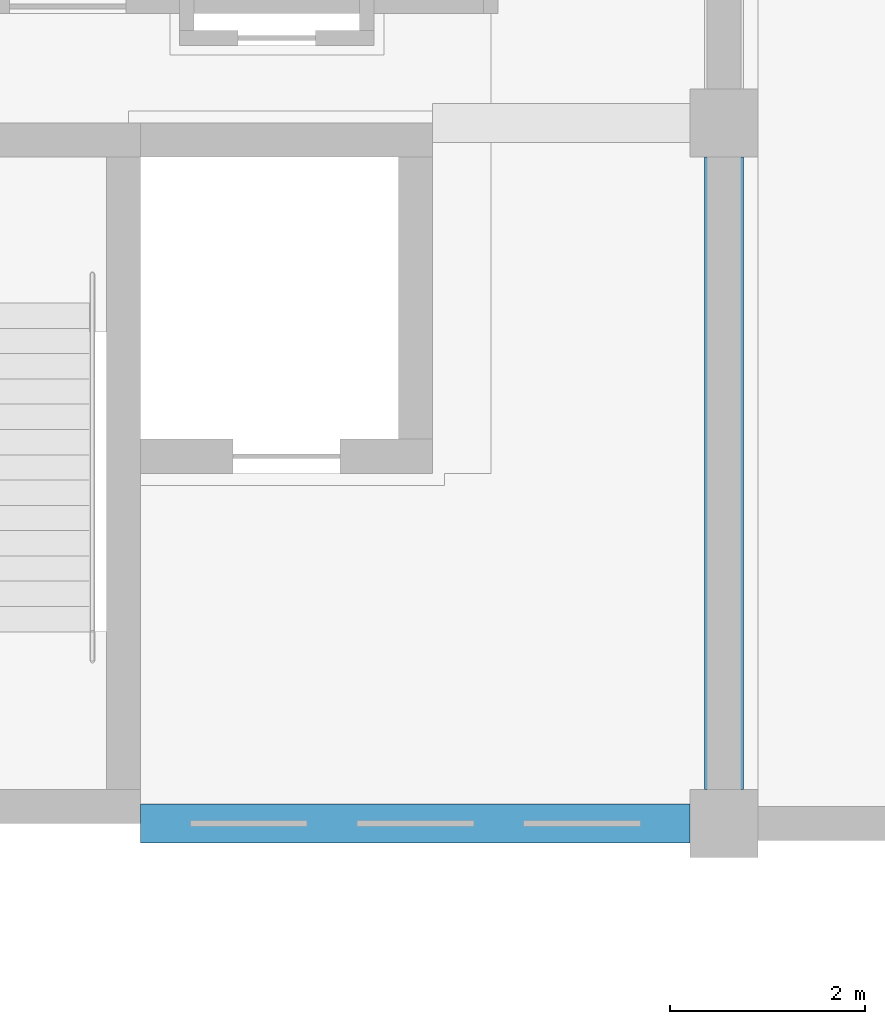
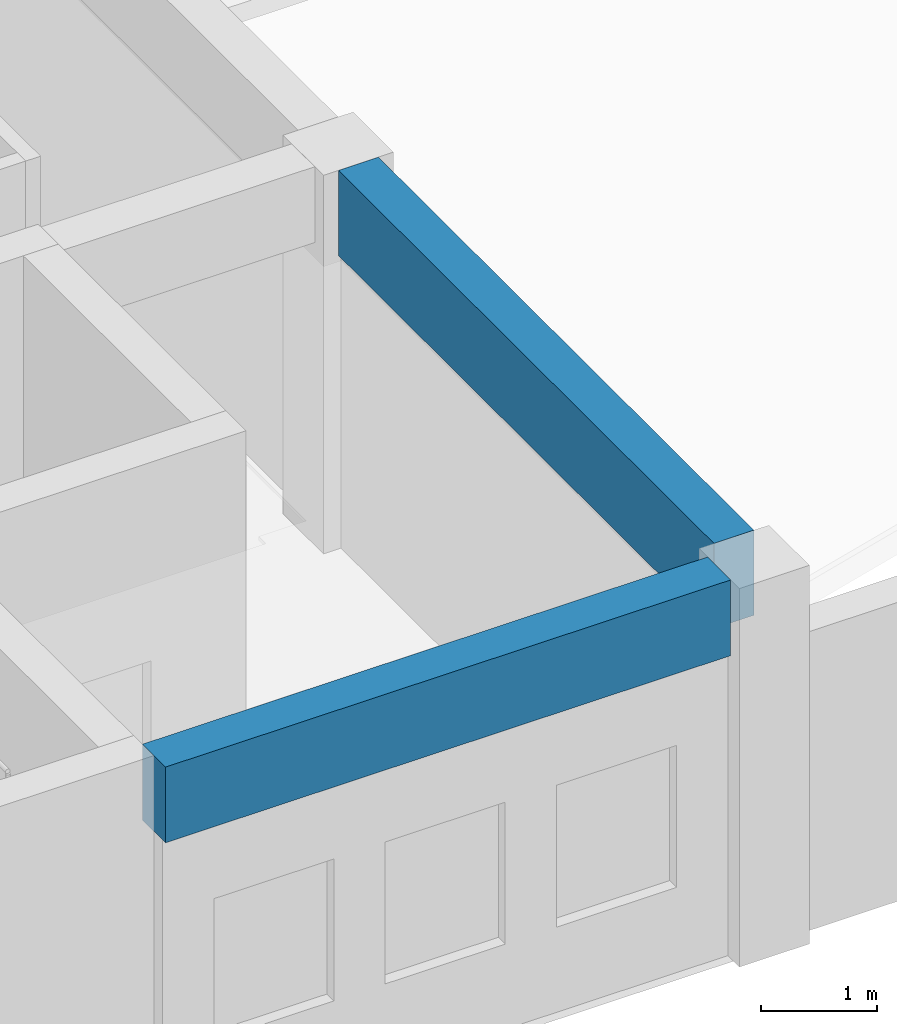
# One storey, part 20 of 92: 2 beams.
"""IFC4 building model written with IfcOpenShell, lengths in metres."""

from ifc_helpers import new_model, si_unit, direction, frame, origin, origin_2d, place, context, subcontext, project, spatial, rectangle, extrude, material, material_profile, profile_set, type_object, element, save


model = new_model("IFC4")

# Units and contexts
model_context = context("Model", 3, precision=1e-05, world=origin(), true_north=direction((0.0, 1.0)))
body_context = subcontext(model_context, "Body", "Model", "MODEL_VIEW")
ifc_project = project(units=[si_unit("LENGTHUNIT", "METRE"), si_unit("AREAUNIT", "SQUARE_METRE"), si_unit("VOLUMEUNIT", "CUBIC_METRE"), si_unit("PLANEANGLEUNIT", "RADIAN"), si_unit("MASSUNIT", "GRAM", prefix="KILO")], contexts=[model_context])

# Site, building, storey
site_placement = place(None, origin())
site = spatial("IfcSite", under=ifc_project, at=site_placement, CompositionType="ELEMENT")
building_placement = place(site_placement, origin())
building = spatial("IfcBuilding", under=site, at=building_placement, Name="Laocheng Heights Fire and Rescue Headquarters", CompositionType="ELEMENT")
storey_placement = place(building_placement, frame((0.0, 0.0, 12.60009765625)))
storey = spatial("IfcBuildingStorey", under=building, at=storey_placement, Name="L03", CompositionType="ELEMENT", Elevation=12.60009765625)

# Beams
ifc_material_1 = material(Name="Concrete C40", Category="concrete")
ifc_material_profile_1 = material_profile(ifc_material_1, rectangle(XDim=0.39990234375, YDim=0.800048828125, at=origin_2d()), Name="RC BEAM 400x800 FOYER")
ifc_profile_set_1 = profile_set([ifc_material_profile_1], Name="Concrete C40")
beam_type_1 = type_object("IfcBeamType", Name="RC BEAM 400x800 FOYER", PredefinedType="BEAM", material=ifc_profile_set_1)
beam_1_placement = place(storey_placement, frame((6.0, 36.0, 3.599853515625), z_axis=(1.0, 0.0, 0.0), x_axis=(0.0, 1.0, 0.0)))
element("IfcBeam", 1, at=beam_1_placement, inside=storey, type_object=beam_type_1, Name="Foyer beam L03", PredefinedType="BEAM", context=body_context, shape_type="SweptSolid", body=[
    extrude(rectangle(XDim=0.39990234375, YDim=0.800048828125, at=origin_2d()), origin(), (0.0, 0.0, 1.0), 5.64990234375),
])
ifc_material_2 = material(Name="Concrete C40", Category="concrete")
ifc_material_profile_2 = material_profile(ifc_material_2, rectangle(XDim=0.39990234375, YDim=0.89990234375, at=origin_2d()), Name="RC BEAM 400x900 FOYER")
ifc_profile_set_2 = profile_set([ifc_material_profile_2], Name="Concrete C40")
beam_type_2 = type_object("IfcBeamType", Name="RC BEAM 400x900 FOYER", PredefinedType="BEAM", material=ifc_profile_set_2)
beam_2_placement = place(storey_placement, frame((12.0, 36.35009765625, 3.5498046875), z_axis=(0.0, 1.0, 0.0), x_axis=(-1.0, 0.0, 0.0)))
element("IfcBeam", 2, at=beam_2_placement, inside=storey, type_object=beam_type_2, Name="Foyer beam L03", PredefinedType="BEAM", context=body_context, shape_type="SweptSolid", body=[
    extrude(rectangle(XDim=0.39990234375, YDim=0.89990234375, at=origin_2d()), origin(), (0.0, 0.0, 1.0), 6.5),
])

save(model, "model.ifc")
